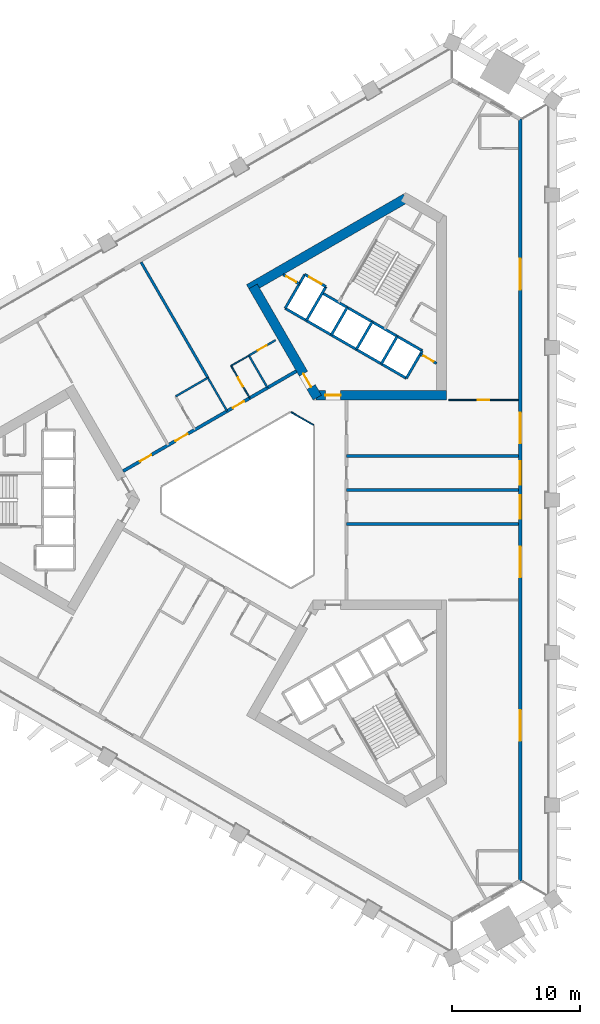
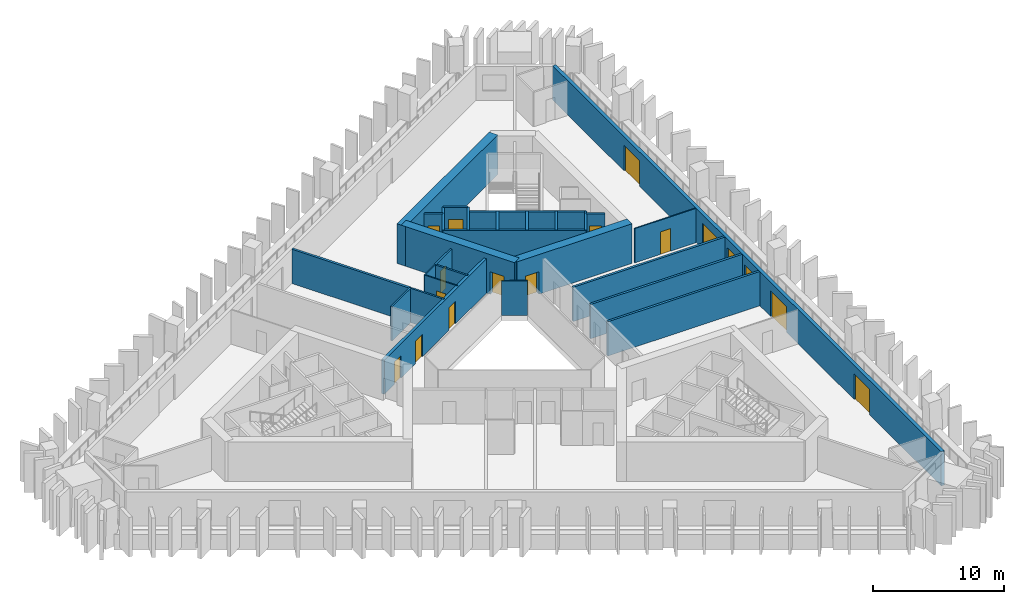
# One storey, part 5 of 10: 28 walls, 15 doors, 2 windows, 17 openings.
"""IFC4 building model written with IfcOpenShell, lengths in metres."""

from ifc_helpers import new_model, si_unit, direction, frame, frame_2d, origin, place, context, subcontext, project, spatial, rectangle, extrude, material, layer, layer_set, type_object, element, fill, save


model = new_model("IFC4")

# Units and contexts
model_context = context("Model", 3, precision=1e-05, world=origin(), true_north=direction((0.0, 1.0)))
body_context = subcontext(model_context, "Body", "Model", "MODEL_VIEW")
ifc_project = project(units=[si_unit("LENGTHUNIT", "METRE"), si_unit("AREAUNIT", "SQUARE_METRE"), si_unit("VOLUMEUNIT", "CUBIC_METRE"), si_unit("PLANEANGLEUNIT", "RADIAN"), si_unit("MASSUNIT", "GRAM", prefix="KILO")], contexts=[model_context])

# Site, building, storey
site_placement = place(None, origin())
site = spatial("IfcSite", under=ifc_project, at=site_placement, CompositionType="ELEMENT")
building_placement = place(site_placement, origin())
building = spatial("IfcBuilding", under=site, at=building_placement, Name="Jabali Bay Hotel Tower and Convention Centre", CompositionType="ELEMENT")
storey_placement = place(building_placement, frame((0.0, 0.0, 72.10009765625)))
storey = spatial("IfcBuildingStorey", under=building, at=storey_placement, Name="L16", CompositionType="ELEMENT", Elevation=72.10009765625)

# Wall
ifc_material_1 = material(Name="Fire-resistant glazing", Category="glass")
ifc_layer_1 = layer(ifc_material_1, 0.10009765625)
ifc_layer_set_1 = layer_set([ifc_layer_1], Name="Fire-resistant glazing")
wall_type_1 = type_object("IfcWallType", Name="Atrium glazed screen 100", PredefinedType="PARTITIONING", material=ifc_layer_set_1)
wall_1_placement = place(storey_placement, frame((79.530029296875, 85.84619140625, 0.0), z_axis=(0.0, 0.0, 1.0), x_axis=(-0.866041268327, 0.499972520799, 0.0)))
element("IfcWall", 1, at=wall_1_placement, inside=storey, type_object=wall_type_1, Name="Atrium screen 2 L16", PredefinedType="PARTITIONING", context=body_context, shape_type="SweptSolid", body=[
    extrude(rectangle(XDim=2.0, YDim=0.10009765625, at=frame_2d((1.0, 0.0))), origin(), (0.0, 0.0, 1.0), 3.199951171875),
])

# Wall, opening, door
ifc_material_2 = material(Name="Concrete C40", Category="concrete")
ifc_layer_2 = layer(ifc_material_2, 0.199951171875)
ifc_layer_set_2 = layer_set([ifc_layer_2], Name="Concrete C40")
wall_type_2 = type_object("IfcWallType", Name="Core partition wall 200", PredefinedType="PARTITIONING", material=ifc_layer_set_2)
wall_2_placement = place(storey_placement, frame((89.130126953125, 90.640625, 0.0), z_axis=(0.0, 0.0, 1.0), x_axis=(-0.866094119867, 0.499880961361, 0.0)))
wall_2 = element("IfcWall", 2, at=wall_2_placement, inside=storey, type_object=wall_type_2, Name="Core wall 1.11 L16", PredefinedType="PARTITIONING", context=body_context, shape_type="SweptSolid", body=[
    extrude(rectangle(XDim=1.466552734375, YDim=0.199951171875, at=frame_2d((0.7333984375, 0.0))), origin(), (0.0, 0.0, 1.0), 3.199951171875),
])
opening_1_placement = place(wall_2_placement, frame((0.283447265625, 0.0, 0.0)))
opening_1 = element("IfcOpeningElement", 3, at=opening_1_placement, cuts=wall_2, Name="Opening D411", PredefinedType="OPENING", context=body_context, shape_type="SweptSolid", body=[
    extrude(rectangle(XDim=0.89990234375, YDim=2.10009765625, at=frame_2d((0.449951171875, 1.050048828125))), frame((0.0, 0.1103515625, 0.0), z_axis=(0.0, -1.0, 0.0), x_axis=(1.0, 0.0, 0.0)), (0.0, 0.0, 1.0), 0.220947265625),
])
ifc_material_3 = material(Name="Fire-rated steel door", Category="steel")
door_type_1 = type_object("IfcDoorType", Name="Vestibule fire door 900 x 2100", OperationType="NOTDEFINED", PredefinedType="NOTDEFINED", material=ifc_material_3)
door_1_placement = place(opening_1_placement, origin())
door_1 = element("IfcDoor", 4, at=door_1_placement, inside=storey, type_object=door_type_1, Name="Vestibule fire door D411", OperationType="SINGLE_SWING_LEFT", OverallHeight=2.10009765625, OverallWidth=0.89990234375, PredefinedType="NOTDEFINED", context=body_context, shape_type="SweptSolid", body=[
    extrude(rectangle(XDim=0.89990234375, YDim=2.10009765625, at=frame_2d((0.449951171875, 1.050048828125))), frame((0.0, 0.02490234375, 0.0), z_axis=(0.0, -1.0, 0.0), x_axis=(1.0, 0.0, 0.0)), (0.0, 0.0, 1.0), 0.050048828125),
])
fill(opening_1, door_1)

wall_3_placement = place(storey_placement, frame((78.43017578125, 96.84130859375, 0.0), z_axis=(0.0, 0.0, 1.0), x_axis=(-0.866045896294, 0.499964504253, 0.0)))
wall_3 = element("IfcWall", 5, at=wall_3_placement, inside=storey, type_object=wall_type_2, Name="Core wall 1.12 L16", PredefinedType="PARTITIONING", context=body_context, shape_type="SweptSolid", body=[
    extrude(rectangle(XDim=1.455078125, YDim=0.199951171875, at=frame_2d((0.7275390625, 0.0))), origin(), (0.0, 0.0, 1.0), 3.199951171875),
])
opening_2_placement = place(wall_3_placement, frame((0.277587890625, 0.0, 0.0)))
opening_2 = element("IfcOpeningElement", 6, at=opening_2_placement, cuts=wall_3, Name="Opening D410", PredefinedType="OPENING", context=body_context, shape_type="SweptSolid", body=[
    extrude(rectangle(XDim=0.89990234375, YDim=2.10009765625, at=frame_2d((0.449951171875, 1.050048828125))), frame((0.0, 0.1103515625, 0.0), z_axis=(0.0, -1.0, 0.0), x_axis=(1.0, 0.0, 0.0)), (0.0, 0.0, 1.0), 0.220947265625),
])
door_2_placement = place(opening_2_placement, origin())
door_2 = element("IfcDoor", 7, at=door_2_placement, inside=storey, type_object=door_type_1, Name="Vestibule fire door D410", OperationType="SINGLE_SWING_LEFT", OverallHeight=2.10009765625, OverallWidth=0.89990234375, PredefinedType="NOTDEFINED", context=body_context, shape_type="SweptSolid", body=[
    extrude(rectangle(XDim=0.89990234375, YDim=2.10009765625, at=frame_2d((0.449951171875, 1.050048828125))), frame((0.0, 0.02490234375, 0.0), z_axis=(0.0, -1.0, 0.0), x_axis=(1.0, 0.0, 0.0)), (0.0, 0.0, 1.0), 0.050048828125),
])
fill(opening_2, door_2)

# Walls
ifc_layer_3 = layer(ifc_material_2, 0.199951171875)
ifc_layer_set_3 = layer_set([ifc_layer_3], Name="Concrete C40")
wall_type_3 = type_object("IfcWallType", Name="Core stair wall 200", PredefinedType="SOLIDWALL", material=ifc_layer_set_3)
for number, where, z_axis, x_axis, name in (
    (8, (86.769775390625, 89.48583984375, 0.0), (0.0, 0.0, 1.0), (0.499961042966, 0.86604789447, 0.0), "Core wall 1.0 L16"),
    (9, (84.8212890625, 90.61083984375, 0.0), (0.0, 0.0, 1.0), (0.499961042966, 0.86604789447, 0.0), "Core wall 1.2 L16"),
    (10, (82.872802734375, 91.73583984375, 0.0), (0.0, 0.0, 1.0), (0.499961042966, 0.86604789447, 0.0), "Core wall 1.4 L16"),
    (11, (80.924072265625, 92.86083984375, 0.0), (0.0, 0.0, 1.0), (0.499961042966, 0.86604789447, 0.0), "Core wall 1.6 L16"),
):
    element("IfcWall", number, at=place(storey_placement, frame(where, z_axis=z_axis, x_axis=x_axis)), inside=storey, type_object=wall_type_3, Name=name, PredefinedType="SOLIDWALL", context=body_context, shape_type="SweptSolid", body=[
        extrude(rectangle(XDim=2.480224609375, YDim=0.199951171875, at=frame_2d((1.240234375, 0.0))), origin(), (0.0, 0.0, 1.0), 3.199951171875),
    ])
for number, where, z_axis, x_axis, name in (
    (12, (78.9755859375, 93.98583984375, 0.0), (0.0, 0.0, 1.0), (0.499944174705, 0.866057632134, 0.0), "Core wall 1.8 L16"),
    (13, (77.330078125, 94.93603515625, 0.0), (0.0, 0.0, 1.0), (0.500038867431, 0.8660029625, 0.0), "Core wall 1.9 L16"),
):
    element("IfcWall", number, at=place(storey_placement, frame(where, z_axis=z_axis, x_axis=x_axis)), inside=storey, type_object=wall_type_3, Name=name, PredefinedType="SOLIDWALL", context=body_context, shape_type="SweptSolid", body=[
        extrude(rectangle(XDim=3.050048828125, YDim=0.199951171875, at=frame_2d((1.52490234375, 0.0))), origin(), (0.0, 0.0, 1.0), 3.199951171875),
    ])
wall_4_placement = place(storey_placement, frame((86.769775390625, 89.48583984375, 0.0), z_axis=(0.0, 0.0, 1.0), x_axis=(-0.86601811187, 0.500012629753, 0.0)))
element("IfcWall", 14, at=wall_4_placement, inside=storey, type_object=wall_type_3, Name="Core wall 1.10 L16", PredefinedType="SOLIDWALL", context=body_context, shape_type="SweptSolid", body=[
    extrude(rectangle(XDim=10.900146484375, YDim=0.199951171875, at=frame_2d((5.4501953125, 0.0))), origin(), (0.0, 0.0, 1.0), 3.199951171875),
])
wall_5_placement = place(storey_placement, frame((88.009765625, 91.6337890625, 0.0), z_axis=(0.0, 0.0, 1.0), x_axis=(-0.866024315419, 0.5000018851, 0.0)))
element("IfcWall", 15, at=wall_5_placement, inside=storey, type_object=wall_type_3, Name="Core wall 1.13 L16", PredefinedType="SOLIDWALL", context=body_context, shape_type="SweptSolid", body=[
    extrude(rectangle(XDim=9.0, YDim=0.199951171875, at=frame_2d((4.5, 0.0))), origin(), (0.0, 0.0, 1.0), 3.199951171875),
])

# Wall, opening, door
wall_6_placement = place(storey_placement, frame((80.50048828125, 96.62744140625, 0.0), z_axis=(0.0, 0.0, 1.0), x_axis=(-0.86601224135, 0.500022797313, 0.0)))
wall_6 = element("IfcWall", 16, at=wall_6_placement, inside=storey, type_object=wall_type_3, Name="Core wall 1.14 L16", PredefinedType="SOLIDWALL", context=body_context, shape_type="SweptSolid", body=[
    extrude(rectangle(XDim=1.89990234375, YDim=0.199951171875, at=frame_2d((0.949951171875, 0.0))), origin(), (0.0, 0.0, 1.0), 3.199951171875),
])
opening_3_placement = place(wall_6_placement, frame((0.39990234375, 0.0, 0.0)))
opening_3 = element("IfcOpeningElement", 17, at=opening_3_placement, cuts=wall_6, Name="Opening LD10-L16", PredefinedType="OPENING", context=body_context, shape_type="SweptSolid", body=[
    extrude(rectangle(XDim=1.10009765625, YDim=2.10009765625, at=frame_2d((0.550048828125, 1.050048828125))), frame((0.0, 0.1103515625, 0.0), z_axis=(0.0, -1.0, 0.0), x_axis=(1.0, 0.0, 0.0)), (0.0, 0.0, 1.0), 0.220947265625),
])
ifc_material_4 = material(Name="Stainless steel landing door", Category="steel")
door_type_2 = type_object("IfcDoorType", Name="Landing door 1100 x 2100", OperationType="NOTDEFINED", PredefinedType="NOTDEFINED", material=ifc_material_4)
door_3_placement = place(opening_3_placement, origin())
door_3 = element("IfcDoor", 18, at=door_3_placement, inside=storey, type_object=door_type_2, Name="Landing doors LD10-L16", OperationType="SLIDING_TO_RIGHT", OverallHeight=2.10009765625, OverallWidth=1.10009765625, PredefinedType="NOTDEFINED", context=body_context, shape_type="SweptSolid", body=[
    extrude(rectangle(XDim=1.10009765625, YDim=2.10009765625, at=frame_2d((0.550048828125, 1.050048828125))), frame((0.0, 0.02490234375, 0.0), z_axis=(0.0, -1.0, 0.0), x_axis=(1.0, 0.0, 0.0)), (0.0, 0.0, 1.0), 0.050048828125),
])
fill(opening_3, door_3)

ifc_material_5 = material(Name="Concrete C60", Category="concrete")
ifc_layer_4 = layer(ifc_material_5, 0.75)
ifc_layer_set_4 = layer_set([ifc_layer_4], Name="Concrete C60")
wall_type_4 = type_object("IfcWallType", Name="Core wall 750", PredefinedType="SHEAR", material=ifc_layer_set_4)
wall_7_placement = place(storey_placement, frame((79.716552734375, 88.169189453125, 0.0), z_axis=(0.0, 0.0, 1.0), x_axis=(1.0, 0.0, 0.0)))
wall_7 = element("IfcWall", 19, at=wall_7_placement, inside=storey, type_object=wall_type_4, Name="Core wall 2.1 L16", PredefinedType="SHEAR", context=body_context, shape_type="SweptSolid", body=[
    extrude(rectangle(XDim=10.163330078125, YDim=0.75, at=frame_2d((5.08154296875, 0.0))), origin(), (0.0, 0.0, 1.0), 3.699951171875),
])
opening_4_placement = place(wall_7_placement, frame((0.7333984375, 0.0, 0.0)))
opening_4 = element("IfcOpeningElement", 20, at=opening_4_placement, cuts=wall_7, Name="Opening D408", PredefinedType="OPENING", context=body_context, shape_type="SweptSolid", body=[
    extrude(rectangle(XDim=1.199951171875, YDim=2.10009765625, at=frame_2d((0.60009765625, 1.050048828125))), frame((0.0, 0.385498046875, 0.0), z_axis=(0.0, -1.0, 0.0), x_axis=(1.0, 0.0, 0.0)), (0.0, 0.0, 1.0), 0.77099609375),
])
door_type_3 = type_object("IfcDoorType", Name="Corridor end fire door 1200 x 2100", OperationType="NOTDEFINED", PredefinedType="NOTDEFINED", material=ifc_material_3)
door_4_placement = place(opening_4_placement, origin())
door_4 = element("IfcDoor", 21, at=door_4_placement, inside=storey, type_object=door_type_3, Name="Corridor end fire door D408", OperationType="SINGLE_SWING_RIGHT", OverallHeight=2.10009765625, OverallWidth=1.199951171875, PredefinedType="NOTDEFINED", context=body_context, shape_type="SweptSolid", body=[
    extrude(rectangle(XDim=1.199951171875, YDim=2.10009765625, at=frame_2d((0.60009765625, 1.050048828125))), frame((0.0, 0.02490234375, 0.0), z_axis=(0.0, -1.0, 0.0), x_axis=(1.0, 0.0, 0.0)), (0.0, 0.0, 1.0), 0.050048828125),
])
fill(opening_4, door_4)

# Wall
wall_8_placement = place(storey_placement, frame((86.72314453125, 103.517333984375, 0.0), z_axis=(0.0, 0.0, 1.0), x_axis=(-0.866020851292, -0.500007885066, 0.0)))
element("IfcWall", 22, at=wall_8_placement, inside=storey, type_object=wall_type_4, Name="Core wall 2.4 L16", PredefinedType="SHEAR", context=body_context, shape_type="SweptSolid", body=[
    extrude(rectangle(XDim=14.116943359375, YDim=0.75, at=frame_2d((7.05859375, 0.0))), origin(), (0.0, 0.0, 1.0), 3.699951171875),
])

# Wall, opening, door
wall_9_placement = place(storey_placement, frame((74.822265625, 96.646240234375, 0.0), z_axis=(0.0, 0.0, 1.0), x_axis=(0.499997052475, -0.866027105532, 0.0)))
wall_9 = element("IfcWall", 23, at=wall_9_placement, inside=storey, type_object=wall_type_4, Name="Core wall 2.5 L16", PredefinedType="SHEAR", context=body_context, shape_type="SweptSolid", body=[
    extrude(rectangle(XDim=10.0048828125, YDim=0.75, at=frame_2d((5.00244140625, 0.0))), origin(), (0.0, 0.0, 1.0), 3.699951171875),
])
opening_5_placement = place(wall_9_placement, frame((7.85498046875, 0.0, 0.0)))
opening_5 = element("IfcOpeningElement", 24, at=opening_5_placement, cuts=wall_9, Name="Opening D409", PredefinedType="OPENING", context=body_context, shape_type="SweptSolid", body=[
    extrude(rectangle(XDim=1.199951171875, YDim=2.10009765625, at=frame_2d((0.60009765625, 1.050048828125))), frame((0.0, 0.385498046875, 0.0), z_axis=(0.0, -1.0, 0.0), x_axis=(1.0, 0.0, 0.0)), (0.0, 0.0, 1.0), 0.77099609375),
])
door_5_placement = place(opening_5_placement, origin())
door_5 = element("IfcDoor", 25, at=door_5_placement, inside=storey, type_object=door_type_3, Name="Corridor end fire door D409", OperationType="SINGLE_SWING_LEFT", OverallHeight=2.10009765625, OverallWidth=1.199951171875, PredefinedType="NOTDEFINED", context=body_context, shape_type="SweptSolid", body=[
    extrude(rectangle(XDim=1.199951171875, YDim=2.10009765625, at=frame_2d((0.60009765625, 1.050048828125))), frame((0.0, 0.02490234375, 0.0), z_axis=(0.0, -1.0, 0.0), x_axis=(1.0, 0.0, 0.0)), (0.0, 0.0, 1.0), 0.050048828125),
])
fill(opening_5, door_5)

# Wall, openings, doors
ifc_layer_5 = layer(ifc_material_5, 0.25)
ifc_layer_set_5 = layer_set([ifc_layer_5], Name="Concrete C60")
wall_type_5 = type_object("IfcWallType", Name="Corridor wall 250", PredefinedType="SHEAR", material=ifc_layer_set_5)
wall_10_placement = place(storey_placement, frame((78.199951171875, 90.0458984375, 0.0), z_axis=(0.0, 0.0, 1.0), x_axis=(-0.866026492143, -0.499998114903, 0.0)))
wall_10 = element("IfcWall", 26, at=wall_10_placement, inside=storey, type_object=wall_type_5, Name="Corridor wall 2 L16", PredefinedType="SHEAR", context=body_context, shape_type="SweptSolid", body=[
    extrude(rectangle(XDim=15.58837890625, YDim=0.25, at=frame_2d((7.794189453125, 0.0))), origin(), (0.0, 0.0, 1.0), 3.199951171875),
])
opening_6_placement = place(wall_10_placement, frame((4.7177734375, 0.0, 0.0)))
opening_6 = element("IfcOpeningElement", 27, at=opening_6_placement, cuts=wall_10, Name="Opening 1611", PredefinedType="OPENING", context=body_context, shape_type="SweptSolid", body=[
    extrude(rectangle(XDim=1.0, YDim=2.10009765625, at=frame_2d((0.5, 1.050048828125))), frame((0.0, 0.135498046875, 0.0), z_axis=(0.0, -1.0, 0.0), x_axis=(1.0, 0.0, 0.0)), (0.0, 0.0, 1.0), 0.27099609375),
])
opening_7_placement = place(wall_10_placement, frame((9.785400390625, 0.0, 0.0)))
opening_7 = element("IfcOpeningElement", 28, at=opening_7_placement, cuts=wall_10, Name="Opening 1613", PredefinedType="OPENING", context=body_context, shape_type="SweptSolid", body=[
    extrude(rectangle(XDim=1.10009765625, YDim=2.10009765625, at=frame_2d((0.550048828125, 1.050048828125))), frame((0.0, 0.135498046875, 0.0), z_axis=(0.0, -1.0, 0.0), x_axis=(1.0, 0.0, 0.0)), (0.0, 0.0, 1.0), 0.27099609375),
])
opening_8_placement = place(wall_10_placement, frame((13.06201171875, 0.0, 0.0)))
opening_8 = element("IfcOpeningElement", 29, at=opening_8_placement, cuts=wall_10, Name="Opening 1614", PredefinedType="OPENING", context=body_context, shape_type="SweptSolid", body=[
    extrude(rectangle(XDim=1.0, YDim=2.10009765625, at=frame_2d((0.5, 1.050048828125))), frame((0.0, 0.135498046875, 0.0), z_axis=(0.0, -1.0, 0.0), x_axis=(1.0, 0.0, 0.0)), (0.0, 0.0, 1.0), 0.27099609375),
])
ifc_material_6 = material(Name="Timber", Category="wood")
door_type_4 = type_object("IfcDoorType", Name="Accessible guest room door 1100 x 2100", OperationType="NOTDEFINED", PredefinedType="NOTDEFINED", material=ifc_material_6)
door_6_placement = place(opening_7_placement, origin())
door_6 = element("IfcDoor", 30, at=door_6_placement, inside=storey, type_object=door_type_4, Name="Door 1613", OperationType="SINGLE_SWING_RIGHT", OverallHeight=2.10009765625, OverallWidth=1.10009765625, PredefinedType="NOTDEFINED", context=body_context, shape_type="SweptSolid", body=[
    extrude(rectangle(XDim=1.10009765625, YDim=2.10009765625, at=frame_2d((0.550048828125, 1.050048828125))), frame((0.0, 0.02490234375, 0.0), z_axis=(0.0, -1.0, 0.0), x_axis=(1.0, 0.0, 0.0)), (0.0, 0.0, 1.0), 0.050048828125),
])
fill(opening_7, door_6)
door_type_5 = type_object("IfcDoorType", Name="Guest room door 1000 x 2100", OperationType="NOTDEFINED", PredefinedType="NOTDEFINED", material=ifc_material_6)
door_7_placement = place(opening_6_placement, origin())
door_7 = element("IfcDoor", 31, at=door_7_placement, inside=storey, type_object=door_type_5, Name="Door 1611", OperationType="SINGLE_SWING_LEFT", OverallHeight=2.10009765625, OverallWidth=1.0, PredefinedType="NOTDEFINED", context=body_context, shape_type="SweptSolid", body=[
    extrude(rectangle(XDim=1.0, YDim=2.10009765625, at=frame_2d((0.5, 1.050048828125))), frame((0.0, 0.02490234375, 0.0), z_axis=(0.0, -1.0, 0.0), x_axis=(1.0, 0.0, 0.0)), (0.0, 0.0, 1.0), 0.050048828125),
])
fill(opening_6, door_7)
door_8_placement = place(opening_8_placement, origin())
door_8 = element("IfcDoor", 32, at=door_8_placement, inside=storey, type_object=door_type_5, Name="Door 1614", OperationType="SINGLE_SWING_RIGHT", OverallHeight=2.10009765625, OverallWidth=1.0, PredefinedType="NOTDEFINED", context=body_context, shape_type="SweptSolid", body=[
    extrude(rectangle(XDim=1.0, YDim=2.10009765625, at=frame_2d((0.5, 1.050048828125))), frame((0.0, 0.02490234375, 0.0), z_axis=(0.0, -1.0, 0.0), x_axis=(1.0, 0.0, 0.0)), (0.0, 0.0, 1.0), 0.050048828125),
])
fill(opening_8, door_8)

# Wall, openings, doors, windows
ifc_layer_6 = layer(ifc_material_2, 0.300048828125)
ifc_layer_set_6 = layer_set([ifc_layer_6], Name="Concrete C40")
wall_type_6 = type_object("IfcWallType", Name="External wall 300", PredefinedType="SOLIDWALL", material=ifc_layer_set_6)
wall_11_placement = place(storey_placement, frame((95.650146484375, 109.690673828125, 0.0), z_axis=(0.0, 0.0, 1.0), x_axis=(0.0, -1.0, 0.0)))
wall_11 = element("IfcWall", 33, at=wall_11_placement, inside=storey, type_object=wall_type_6, Name="External wall east face L16", PredefinedType="SOLIDWALL", context=body_context, shape_type="SweptSolid", body=[
    extrude(rectangle(XDim=59.38134765625, YDim=0.300048828125, at=frame_2d((29.690673828125, 0.0))), origin(), (0.0, 0.0, 1.0), 3.199951171875),
])
opening_9_placement = place(wall_11_placement, frame((33.322998046875, 0.0, 0.0)))
opening_9 = element("IfcOpeningElement", 34, at=opening_9_placement, cuts=wall_11, Name="Opening SD1", PredefinedType="OPENING", context=body_context, shape_type="SweptSolid", body=[
    extrude(rectangle(XDim=2.39990234375, YDim=2.39990234375, at=frame_2d((1.199951171875, 1.199951171875))), frame((0.0, 0.16064453125, 0.0), z_axis=(0.0, -1.0, 0.0), x_axis=(1.0, 0.0, 0.0)), (0.0, 0.0, 1.0), 0.321044921875),
])
opening_10_placement = place(wall_11_placement, frame((46.06640625, 0.0, 0.0)))
opening_10 = element("IfcOpeningElement", 35, at=opening_10_placement, cuts=wall_11, Name="Opening SD1", PredefinedType="OPENING", context=body_context, shape_type="SweptSolid", body=[
    extrude(rectangle(XDim=2.39990234375, YDim=2.39990234375, at=frame_2d((1.199951171875, 1.199951171875))), frame((0.0, 0.16064453125, 0.0), z_axis=(0.0, -1.0, 0.0), x_axis=(1.0, 0.0, 0.0)), (0.0, 0.0, 1.0), 0.321044921875),
])
opening_11_placement = place(wall_11_placement, frame((22.878662109375, 0.0, 0.0)))
opening_11 = element("IfcOpeningElement", 36, at=opening_11_placement, cuts=wall_11, Name="Opening SD1", PredefinedType="OPENING", context=body_context, shape_type="SweptSolid", body=[
    extrude(rectangle(XDim=2.39990234375, YDim=2.39990234375, at=frame_2d((1.199951171875, 1.199951171875))), frame((0.0, 0.16064453125, 0.0), z_axis=(0.0, -1.0, 0.0), x_axis=(1.0, 0.0, 0.0)), (0.0, 0.0, 1.0), 0.321044921875),
])
opening_12_placement = place(wall_11_placement, frame((10.887451171875, 0.0, 0.0)))
opening_12 = element("IfcOpeningElement", 37, at=opening_12_placement, cuts=wall_11, Name="Opening SD1", PredefinedType="OPENING", context=body_context, shape_type="SweptSolid", body=[
    extrude(rectangle(XDim=2.39990234375, YDim=2.39990234375, at=frame_2d((1.199951171875, 1.199951171875))), frame((0.0, 0.16064453125, 0.0), z_axis=(0.0, -1.0, 0.0), x_axis=(1.0, 0.0, 0.0)), (0.0, 0.0, 1.0), 0.321044921875),
])
opening_13_placement = place(wall_11_placement, frame((29.336181640625, 0.0, 0.89990234375)))
opening_13 = element("IfcOpeningElement", 38, at=opening_13_placement, cuts=wall_11, Name="Opening W1", PredefinedType="OPENING", context=body_context, shape_type="SweptSolid", body=[
    extrude(rectangle(XDim=1.800048828125, YDim=1.5, at=frame_2d((0.89990234375, 0.75))), frame((0.0, 0.16064453125, 0.0), z_axis=(0.0, -1.0, 0.0), x_axis=(1.0, 0.0, 0.0)), (0.0, 0.0, 1.0), 0.321044921875),
])
opening_14_placement = place(wall_11_placement, frame((26.68603515625, 0.0, 0.89990234375)))
opening_14 = element("IfcOpeningElement", 39, at=opening_14_placement, cuts=wall_11, Name="Opening W1", PredefinedType="OPENING", context=body_context, shape_type="SweptSolid", body=[
    extrude(rectangle(XDim=1.800048828125, YDim=1.5, at=frame_2d((0.89990234375, 0.75))), frame((0.0, 0.16064453125, 0.0), z_axis=(0.0, -1.0, 0.0), x_axis=(1.0, 0.0, 0.0)), (0.0, 0.0, 1.0), 0.321044921875),
])
ifc_material_7 = material(Name="Glass", Category="glass")
door_type_6 = type_object("IfcDoorType", Name="Loggia sliding door 2400 x 2400", OperationType="NOTDEFINED", PredefinedType="NOTDEFINED", material=ifc_material_7)
door_9_placement = place(opening_9_placement, origin())
door_9 = element("IfcDoor", 40, at=door_9_placement, inside=storey, type_object=door_type_6, Name="Loggia sliding door 1601", OperationType="SLIDING_TO_LEFT", OverallHeight=2.39990234375, OverallWidth=2.39990234375, PredefinedType="NOTDEFINED", context=body_context, shape_type="SweptSolid", body=[
    extrude(rectangle(XDim=2.39990234375, YDim=2.39990234375, at=frame_2d((1.199951171875, 1.199951171875))), frame((0.0, 0.02490234375, 0.0), z_axis=(0.0, -1.0, 0.0), x_axis=(1.0, 0.0, 0.0)), (0.0, 0.0, 1.0), 0.050048828125),
])
fill(opening_9, door_9)
door_10_placement = place(opening_10_placement, origin())
door_10 = element("IfcDoor", 41, at=door_10_placement, inside=storey, type_object=door_type_6, Name="Loggia sliding door 1601", OperationType="SLIDING_TO_RIGHT", OverallHeight=2.39990234375, OverallWidth=2.39990234375, PredefinedType="NOTDEFINED", context=body_context, shape_type="SweptSolid", body=[
    extrude(rectangle(XDim=2.39990234375, YDim=2.39990234375, at=frame_2d((1.199951171875, 1.199951171875))), frame((0.0, 0.02490234375, 0.0), z_axis=(0.0, -1.0, 0.0), x_axis=(1.0, 0.0, 0.0)), (0.0, 0.0, 1.0), 0.050048828125),
])
fill(opening_10, door_10)
door_11_placement = place(opening_11_placement, origin())
door_11 = element("IfcDoor", 42, at=door_11_placement, inside=storey, type_object=door_type_6, Name="Loggia sliding door 1604", OperationType="SLIDING_TO_LEFT", OverallHeight=2.39990234375, OverallWidth=2.39990234375, PredefinedType="NOTDEFINED", context=body_context, shape_type="SweptSolid", body=[
    extrude(rectangle(XDim=2.39990234375, YDim=2.39990234375, at=frame_2d((1.199951171875, 1.199951171875))), frame((0.0, 0.02490234375, 0.0), z_axis=(0.0, -1.0, 0.0), x_axis=(1.0, 0.0, 0.0)), (0.0, 0.0, 1.0), 0.050048828125),
])
fill(opening_11, door_11)
door_12_placement = place(opening_12_placement, origin())
door_12 = element("IfcDoor", 43, at=door_12_placement, inside=storey, type_object=door_type_6, Name="Loggia sliding door 1604", OperationType="SLIDING_TO_RIGHT", OverallHeight=2.39990234375, OverallWidth=2.39990234375, PredefinedType="NOTDEFINED", context=body_context, shape_type="SweptSolid", body=[
    extrude(rectangle(XDim=2.39990234375, YDim=2.39990234375, at=frame_2d((1.199951171875, 1.199951171875))), frame((0.0, 0.02490234375, 0.0), z_axis=(0.0, -1.0, 0.0), x_axis=(1.0, 0.0, 0.0)), (0.0, 0.0, 1.0), 0.050048828125),
])
fill(opening_12, door_12)
window_type = type_object("IfcWindowType", Name="Window 1800 x 1500", PartitioningType="SINGLE_PANEL", PredefinedType="WINDOW", material=ifc_material_7)
window_1_placement = place(opening_13_placement, origin())
window_1 = element("IfcWindow", 44, at=window_1_placement, inside=storey, type_object=window_type, Name="Window 1602", OverallHeight=1.5, OverallWidth=1.800048828125, PartitioningType="SINGLE_PANEL", PredefinedType="WINDOW", context=body_context, shape_type="SweptSolid", body=[
    extrude(rectangle(XDim=1.800048828125, YDim=1.5, at=frame_2d((0.89990234375, 0.75))), frame((0.0, 0.030029296875, 0.0), z_axis=(0.0, -1.0, 0.0), x_axis=(1.0, 0.0, 0.0)), (0.0, 0.0, 1.0), 0.06005859375),
])
fill(opening_13, window_1)
window_2_placement = place(opening_14_placement, origin())
window_2 = element("IfcWindow", 45, at=window_2_placement, inside=storey, type_object=window_type, Name="Window 1603", OverallHeight=1.5, OverallWidth=1.800048828125, PartitioningType="SINGLE_PANEL", PredefinedType="WINDOW", context=body_context, shape_type="SweptSolid", body=[
    extrude(rectangle(XDim=1.800048828125, YDim=1.5, at=frame_2d((0.89990234375, 0.75))), frame((0.0, 0.030029296875, 0.0), z_axis=(0.0, -1.0, 0.0), x_axis=(1.0, 0.0, 0.0)), (0.0, 0.0, 1.0), 0.06005859375),
])
fill(opening_14, window_2)

# Wall, opening, door
ifc_material_8 = material(Name="Plasterboard on steel stud", Category="steel")
ifc_layer_7 = layer(ifc_material_8, 0.10009765625)
ifc_layer_set_7 = layer_set([ifc_layer_7], Name="Plasterboard on steel stud")
wall_type_7 = type_object("IfcWallType", Name="Partition 100 unit", PredefinedType="PARTITIONING", material=ifc_layer_set_7)
wall_12_placement = place(storey_placement, frame((95.5009765625, 87.794189453125, 0.0), z_axis=(0.0, 0.0, 1.0), x_axis=(-1.0, 0.0, 0.0)))
wall_12 = element("IfcWall", 46, at=wall_12_placement, inside=storey, type_object=wall_type_7, Name="Partition P02 L16 009", PredefinedType="PARTITIONING", context=body_context, shape_type="SweptSolid", body=[
    extrude(rectangle(XDim=5.421875, YDim=0.10009765625, at=frame_2d((2.7109375, 0.0))), origin(), (0.0, 0.0, 1.0), 3.199951171875),
])
opening_15_placement = place(wall_12_placement, frame((2.260986328125, 0.0, 0.0)))
opening_15 = element("IfcOpeningElement", 47, at=opening_15_placement, cuts=wall_12, Name="Opening 1607", PredefinedType="OPENING", context=body_context, shape_type="SweptSolid", body=[
    extrude(rectangle(XDim=0.89990234375, YDim=2.10009765625, at=frame_2d((0.449951171875, 1.050048828125))), frame((0.0, 0.060546875, 0.0), z_axis=(0.0, -1.0, 0.0), x_axis=(1.0, 0.0, 0.0)), (0.0, 0.0, 1.0), 0.12109375),
])
door_type_7 = type_object("IfcDoorType", Name="Internal door 900 x 2100", OperationType="NOTDEFINED", PredefinedType="NOTDEFINED", material=ifc_material_6)
door_13_placement = place(opening_15_placement, origin())
door_13 = element("IfcDoor", 48, at=door_13_placement, inside=storey, type_object=door_type_7, Name="Door 1607", OperationType="SINGLE_SWING_LEFT", OverallHeight=2.10009765625, OverallWidth=0.89990234375, PredefinedType="NOTDEFINED", context=body_context, shape_type="SweptSolid", body=[
    extrude(rectangle(XDim=0.89990234375, YDim=2.10009765625, at=frame_2d((0.449951171875, 1.050048828125))), frame((0.0, 0.02490234375, 0.0), z_axis=(0.0, -1.0, 0.0), x_axis=(1.0, 0.0, 0.0)), (0.0, 0.0, 1.0), 0.050048828125),
])
fill(opening_15, door_13)

wall_13_placement = place(storey_placement, frame((74.562744140625, 87.94580078125, 0.0), z_axis=(0.0, 0.0, 1.0), x_axis=(-0.499987231761, 0.866032775405, 0.0)))
wall_13 = element("IfcWall", 49, at=wall_13_placement, inside=storey, type_object=wall_type_7, Name="Partition P02 L16 015", PredefinedType="PARTITIONING", context=body_context, shape_type="SweptSolid", body=[
    extrude(rectangle(XDim=2.89990234375, YDim=0.10009765625, at=frame_2d((1.449951171875, 0.0))), origin(), (0.0, 0.0, 1.0), 3.199951171875),
])
opening_16_placement = place(wall_13_placement, frame((1.050048828125, 0.0, 0.0)))
opening_16 = element("IfcOpeningElement", 50, at=opening_16_placement, cuts=wall_13, Name="Opening 1610", PredefinedType="OPENING", context=body_context, shape_type="SweptSolid", body=[
    extrude(rectangle(XDim=0.800048828125, YDim=2.10009765625, at=frame_2d((0.39990234375, 1.050048828125))), frame((0.0, 0.060546875, 0.0), z_axis=(0.0, -1.0, 0.0), x_axis=(1.0, 0.0, 0.0)), (0.0, 0.0, 1.0), 0.12109375),
])
door_type_8 = type_object("IfcDoorType", Name="Dressing room door 800 x 2100", OperationType="NOTDEFINED", PredefinedType="NOTDEFINED", material=ifc_material_6)
door_14_placement = place(opening_16_placement, origin())
door_14 = element("IfcDoor", 51, at=door_14_placement, inside=storey, type_object=door_type_8, Name="Door 1610", OperationType="SINGLE_SWING_RIGHT", OverallHeight=2.10009765625, OverallWidth=0.800048828125, PredefinedType="NOTDEFINED", context=body_context, shape_type="SweptSolid", body=[
    extrude(rectangle(XDim=0.800048828125, YDim=2.10009765625, at=frame_2d((0.39990234375, 1.050048828125))), frame((0.0, 0.02490234375, 0.0), z_axis=(0.0, -1.0, 0.0), x_axis=(1.0, 0.0, 0.0)), (0.0, 0.0, 1.0), 0.050048828125),
])
fill(opening_16, door_14)

# Wall
wall_14_placement = place(storey_placement, frame((73.11279296875, 90.457275390625, 0.0), z_axis=(0.0, 0.0, 1.0), x_axis=(0.865989903783, 0.500061482766, 0.0)))
element("IfcWall", 52, at=wall_14_placement, inside=storey, type_object=wall_type_7, Name="Partition P02 L16 016", PredefinedType="PARTITIONING", context=body_context, shape_type="SweptSolid", body=[
    extrude(rectangle(XDim=1.599853515625, YDim=0.10009765625, at=frame_2d((0.7998046875, 0.0))), origin(), (0.0, 0.0, 1.0), 3.199951171875),
])

# Wall, opening, door
ifc_layer_8 = layer(ifc_material_8, 0.14990234375)
ifc_layer_set_8 = layer_set([ifc_layer_8], Name="Plasterboard on steel stud")
wall_type_8 = type_object("IfcWallType", Name="Partition 150 wet", PredefinedType="PARTITIONING", material=ifc_layer_set_8)
wall_15_placement = place(storey_placement, frame((74.498291015625, 91.25732421875, 0.0), z_axis=(0.0, 0.0, 1.0), x_axis=(0.866038271014, 0.499977712642, 0.0)))
wall_15 = element("IfcWall", 53, at=wall_15_placement, inside=storey, type_object=wall_type_8, Name="Partition P03 L16 014", PredefinedType="PARTITIONING", context=body_context, shape_type="SweptSolid", body=[
    extrude(rectangle(XDim=2.40087890625, YDim=0.14990234375, at=frame_2d((1.200439453125, 0.0))), origin(), (0.0, 0.0, 1.0), 3.199951171875),
])
opening_17_placement = place(wall_15_placement, frame((0.801025390625, 0.0, 0.0)))
opening_17 = element("IfcOpeningElement", 54, at=opening_17_placement, cuts=wall_15, Name="Opening 1609", PredefinedType="OPENING", context=body_context, shape_type="SweptSolid", body=[
    extrude(rectangle(XDim=0.800048828125, YDim=2.10009765625, at=frame_2d((0.39990234375, 1.050048828125))), frame((0.0, 0.08544921875, 0.0), z_axis=(0.0, -1.0, 0.0), x_axis=(1.0, 0.0, 0.0)), (0.0, 0.0, 1.0), 0.1708984375),
])
door_type_9 = type_object("IfcDoorType", Name="En-suite door 800 x 2100", OperationType="NOTDEFINED", PredefinedType="NOTDEFINED", material=ifc_material_6)
door_15_placement = place(opening_17_placement, origin())
door_15 = element("IfcDoor", 55, at=door_15_placement, inside=storey, type_object=door_type_9, Name="Door 1609", OperationType="SINGLE_SWING_LEFT", OverallHeight=2.10009765625, OverallWidth=0.800048828125, PredefinedType="NOTDEFINED", context=body_context, shape_type="SweptSolid", body=[
    extrude(rectangle(XDim=0.800048828125, YDim=2.10009765625, at=frame_2d((0.39990234375, 1.050048828125))), frame((0.0, 0.02490234375, 0.0), z_axis=(0.0, -1.0, 0.0), x_axis=(1.0, 0.0, 0.0)), (0.0, 0.0, 1.0), 0.050048828125),
])
fill(opening_17, door_15)

# Walls
wall_16_placement = place(storey_placement, frame((71.300048828125, 89.5263671875, 0.0), z_axis=(0.0, 0.0, 1.0), x_axis=(0.499990139034, -0.866031096941, 0.0)))
element("IfcWall", 56, at=wall_16_placement, inside=storey, type_object=wall_type_8, Name="Partition P03 L16 018", PredefinedType="PARTITIONING", context=body_context, shape_type="SweptSolid", body=[
    extrude(rectangle(XDim=3.0, YDim=0.14990234375, at=frame_2d((1.5, 0.0))), origin(), (0.0, 0.0, 1.0), 3.199951171875),
])
wall_17_placement = place(storey_placement, frame((74.498291015625, 91.25732421875, 0.0), z_axis=(0.0, 0.0, 1.0), x_axis=(0.499987231761, -0.866032775405, 0.0)))
element("IfcWall", 57, at=wall_17_placement, inside=storey, type_object=wall_type_8, Name="Partition P03 L16 019", PredefinedType="PARTITIONING", context=body_context, shape_type="SweptSolid", body=[
    extrude(rectangle(XDim=2.89990234375, YDim=0.14990234375, at=frame_2d((1.449951171875, 0.0))), origin(), (0.0, 0.0, 1.0), 3.199951171875),
])
wall_18_placement = place(storey_placement, frame((68.78857421875, 88.076171875, 0.0), z_axis=(0.0, 0.0, 1.0), x_axis=(0.865996321171, 0.50005036918, 0.0)))
element("IfcWall", 58, at=wall_18_placement, inside=storey, type_object=wall_type_8, Name="Partition P03 L16 021", PredefinedType="PARTITIONING", context=body_context, shape_type="SweptSolid", body=[
    extrude(rectangle(XDim=2.900146484375, YDim=0.14990234375, at=frame_2d((1.4501953125, 0.0))), origin(), (0.0, 0.0, 1.0), 3.199951171875),
])
ifc_layer_9 = layer(ifc_material_8, 0.199951171875)
ifc_layer_set_9 = layer_set([ifc_layer_9], Name="Plasterboard on steel stud")
wall_type_9 = type_object("IfcWallType", Name="Partition 200 party", PredefinedType="PARTITIONING", material=ifc_layer_set_9)
for number, where, z_axis, x_axis, name in (
    (59, (95.5009765625, 78.12939453125, 0.0), (0.0, 0.0, 1.0), (-1.0, 0.0, 0.0), "Partition P01 L16 002"),
    (60, (95.5009765625, 80.779541015625, 0.0), (0.0, 0.0, 1.0), (-1.0, 0.0, 0.0), "Partition P01 L16 007"),
    (61, (95.5009765625, 83.429443359375, 0.0), (0.0, 0.0, 1.0), (-1.0, 0.0, 0.0), "Partition P01 L16 008"),
):
    element("IfcWall", number, at=place(storey_placement, frame(where, z_axis=z_axis, x_axis=x_axis)), inside=storey, type_object=wall_type_9, Name=name, PredefinedType="PARTITIONING", context=body_context, shape_type="SweptSolid", body=[
        extrude(rectangle(XDim=13.40087890625, YDim=0.199951171875, at=frame_2d((6.700439453125, 0.0))), origin(), (0.0, 0.0, 1.0), 3.199951171875),
    ])
wall_19_placement = place(storey_placement, frame((66.099365234375, 98.533935546875, 0.0), z_axis=(0.0, 0.0, 1.0), x_axis=(0.500011650862, -0.866018677052, 0.0)))
element("IfcWall", 62, at=wall_19_placement, inside=storey, type_object=wall_type_9, Name="Partition P01 L16 017", PredefinedType="PARTITIONING", context=body_context, shape_type="SweptSolid", body=[
    extrude(rectangle(XDim=10.401123046875, YDim=0.199951171875, at=frame_2d((5.20068359375, 0.0))), origin(), (0.0, 0.0, 1.0), 3.199951171875),
])

save(model, "model.ifc")
